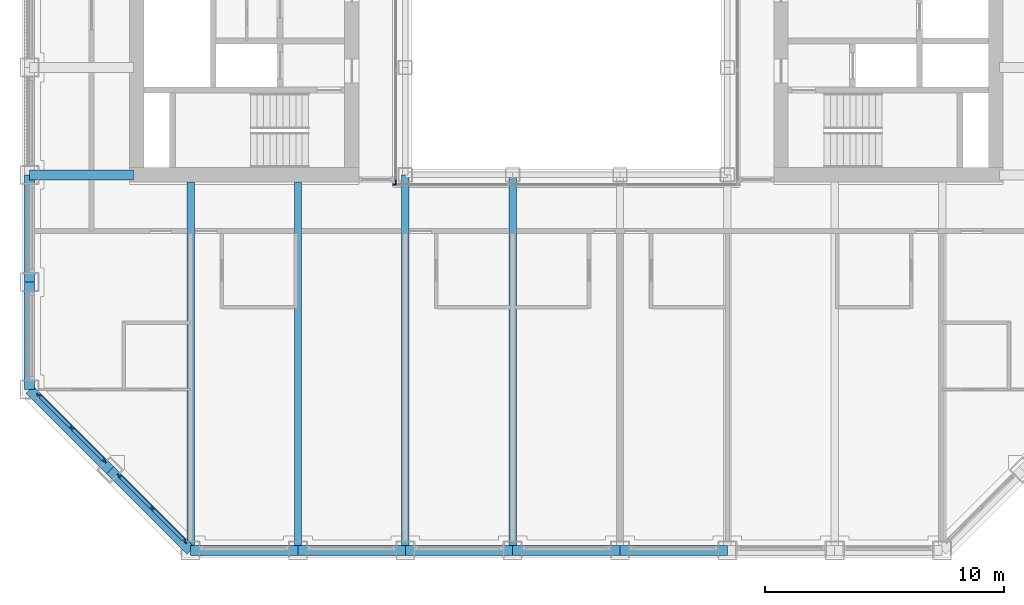
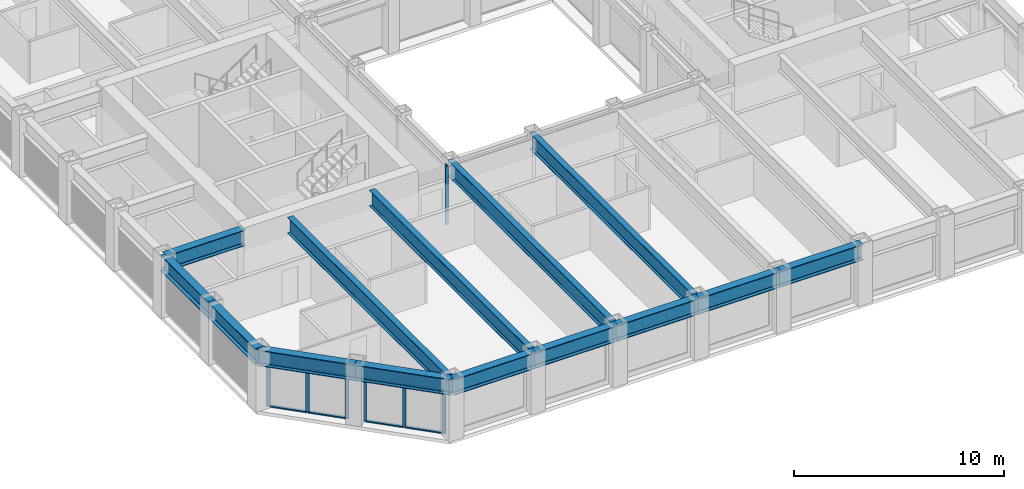
# One storey, part 2 of 17: 16 members, 14 beams, 4 elements without a shape of their own.
"""IFC4 building model written with IfcOpenShell, lengths in metres."""

from ifc_helpers import new_model, si_unit, direction, frame, origin, origin_2d, place, context, subcontext, project, spatial, rectangle, i_section, extrude, material, material_profile, profile_set, type_object, element, aggregate, save


model = new_model("IFC4")

# Units and contexts
model_context = context("Model", 3, precision=1e-05, world=origin(), true_north=direction((0.0, 1.0)))
body_context = subcontext(model_context, "Body", "Model", "MODEL_VIEW")
ifc_project = project(units=[si_unit("LENGTHUNIT", "METRE"), si_unit("AREAUNIT", "SQUARE_METRE"), si_unit("VOLUMEUNIT", "CUBIC_METRE"), si_unit("PLANEANGLEUNIT", "RADIAN"), si_unit("MASSUNIT", "GRAM", prefix="KILO")], contexts=[model_context])

# Site, building, storey
site_placement = place(None, origin())
site = spatial("IfcSite", under=ifc_project, at=site_placement, CompositionType="ELEMENT")
building_placement = place(site_placement, origin())
building = spatial("IfcBuilding", under=site, at=building_placement, Name="Msasa Ring Tower", CompositionType="ELEMENT")
storey_placement = place(building_placement, frame((0.0, 0.0, 154.39990234375)))
storey = spatial("IfcBuildingStorey", under=building, at=storey_placement, Name="L40", CompositionType="ELEMENT", Elevation=154.39990234375)

# Curtain wall, members
ifc_material_1 = material(Name="Aluminium curtain wall with clear glass", Category="aluminium")
curtain_wall_type_1 = type_object("IfcCurtainWallType", Name="CW-C CHAMFER CORNER CURTAIN WALL", PredefinedType="NOTDEFINED", material=ifc_material_1)
curtain_wall_1_placement = place(storey_placement, origin())
curtain_wall_1 = element("IfcCurtainWall", 1, at=curtain_wall_1_placement, inside=storey, type_object=curtain_wall_type_1, Name="Chamfer corner curtain wall SW L40", PredefinedType="NOTDEFINED")
ifc_material_2 = material(Name="Aluminium mullion", Category="aluminium")
ifc_material_profile_1 = material_profile(ifc_material_2, rectangle(XDim=0.06494140625, YDim=0.179931640625, at=origin_2d()), Name="AL 65x180")
ifc_profile_set_1 = profile_set([ifc_material_profile_1], Name="Aluminium mullion")
member_type_1 = type_object("IfcMemberType", Name="CW-C MULLION 65x180", PredefinedType="MULLION", material=ifc_profile_set_1)
member_1_placement = place(storey_placement, frame((-22.119873046875, -15.98876953125, 0.0), z_axis=(0.0, 0.0, 1.0), x_axis=(0.707106781187, 0.707106781187, 0.0)))
member_1 = element("IfcMember", 2, at=member_1_placement, type_object=member_type_1, Name="CW-C mullion 1", PredefinedType="MULLION", context=body_context, shape_type="SweptSolid", body=[
    extrude(rectangle(XDim=0.06494140625, YDim=0.179931640625, at=origin_2d()), origin(), (0.0, 0.0, 1.0), 2.47900390625),
])
member_2_placement = place(storey_placement, frame((-20.74169921875, -17.36669921875, 0.0), z_axis=(0.0, 0.0, 1.0), x_axis=(0.707106781187, 0.707106781187, 0.0)))
member_2 = element("IfcMember", 3, at=member_2_placement, type_object=member_type_1, Name="CW-C mullion 2", PredefinedType="MULLION", context=body_context, shape_type="SweptSolid", body=[
    extrude(rectangle(XDim=0.06494140625, YDim=0.179931640625, at=origin_2d()), origin(), (0.0, 0.0, 1.0), 2.47900390625),
])
member_3_placement = place(storey_placement, frame((-19.36376953125, -18.744873046875, 0.0), z_axis=(0.0, 0.0, 1.0), x_axis=(0.707106781187, 0.707106781187, 0.0)))
member_3 = element("IfcMember", 4, at=member_3_placement, type_object=member_type_1, Name="CW-C mullion 3", PredefinedType="MULLION", context=body_context, shape_type="SweptSolid", body=[
    extrude(rectangle(XDim=0.06494140625, YDim=0.179931640625, at=origin_2d()), origin(), (0.0, 0.0, 1.0), 2.47900390625),
])

curtain_wall_2_placement = place(storey_placement, origin())
curtain_wall_2 = element("IfcCurtainWall", 5, at=curtain_wall_2_placement, inside=storey, type_object=curtain_wall_type_1, Name="Chamfer corner curtain wall SW L40", PredefinedType="NOTDEFINED")
member_4_placement = place(storey_placement, frame((-18.744873046875, -19.36376953125, 0.0), z_axis=(0.0, 0.0, 1.0), x_axis=(0.707106781187, 0.707106781187, 0.0)))
member_4 = element("IfcMember", 6, at=member_4_placement, type_object=member_type_1, Name="CW-C mullion 1", PredefinedType="MULLION", context=body_context, shape_type="SweptSolid", body=[
    extrude(rectangle(XDim=0.06494140625, YDim=0.179931640625, at=origin_2d()), origin(), (0.0, 0.0, 1.0), 2.47900390625),
])
member_5_placement = place(storey_placement, frame((-17.36669921875, -20.74169921875, 0.0), z_axis=(0.0, 0.0, 1.0), x_axis=(0.707106781187, 0.707106781187, 0.0)))
member_5 = element("IfcMember", 7, at=member_5_placement, type_object=member_type_1, Name="CW-C mullion 2", PredefinedType="MULLION", context=body_context, shape_type="SweptSolid", body=[
    extrude(rectangle(XDim=0.06494140625, YDim=0.179931640625, at=origin_2d()), origin(), (0.0, 0.0, 1.0), 2.47900390625),
])
member_6_placement = place(storey_placement, frame((-15.98876953125, -22.119873046875, 0.0), z_axis=(0.0, 0.0, 1.0), x_axis=(0.707106781187, 0.707106781187, 0.0)))
member_6 = element("IfcMember", 8, at=member_6_placement, type_object=member_type_1, Name="CW-C mullion 3", PredefinedType="MULLION", context=body_context, shape_type="SweptSolid", body=[
    extrude(rectangle(XDim=0.06494140625, YDim=0.179931640625, at=origin_2d()), origin(), (0.0, 0.0, 1.0), 2.47900390625),
])

# Member
ifc_material_3 = material(Name="Aluminium transom", Category="aluminium")
ifc_material_profile_2 = material_profile(ifc_material_3, rectangle(XDim=0.139892578125, YDim=0.06494140625, at=origin_2d()), Name="AL 65x140")
ifc_profile_set_2 = profile_set([ifc_material_profile_2], Name="Aluminium transom")
member_type_2 = type_object("IfcMemberType", Name="CW-C TRANSOM 65x140", PredefinedType="USERDEFINED", material=ifc_profile_set_2)
member_7_placement = place(storey_placement, frame((-22.096923828125, -16.01171875, 0.03271484375), z_axis=(0.707106781187, -0.707106781187, 0.0), x_axis=(0.707106781187, 0.707106781187, 0.0)))
member_7 = element("IfcMember", 9, at=member_7_placement, type_object=member_type_2, Name="CW-C transom 1.1", ObjectType="TRANSOM", PredefinedType="USERDEFINED", context=body_context, shape_type="SweptSolid", body=[
    extrude(rectangle(XDim=0.139892578125, YDim=0.06494140625, at=origin_2d()), origin(), (0.0, 0.0, 1.0), 1.8837890625),
])

member_8_placement = place(storey_placement, frame((-22.096923828125, -16.01171875, 2.446533203125), z_axis=(0.707106781187, -0.707106781187, 0.0), x_axis=(0.707106781187, 0.707106781187, 0.0)))
member_8 = element("IfcMember", 10, at=member_8_placement, type_object=member_type_2, Name="CW-C transom 1.2", ObjectType="TRANSOM", PredefinedType="USERDEFINED", context=body_context, shape_type="SweptSolid", body=[
    extrude(rectangle(XDim=0.139892578125, YDim=0.06494140625, at=origin_2d()), origin(), (0.0, 0.0, 1.0), 1.8837890625),
])

member_9_placement = place(storey_placement, frame((-20.71875, -17.389892578125, 0.03271484375), z_axis=(0.707106781187, -0.707106781187, 0.0), x_axis=(0.707106781187, 0.707106781187, 0.0)))
member_9 = element("IfcMember", 11, at=member_9_placement, type_object=member_type_2, Name="CW-C transom 2.1", ObjectType="TRANSOM", PredefinedType="USERDEFINED", context=body_context, shape_type="SweptSolid", body=[
    extrude(rectangle(XDim=0.139892578125, YDim=0.06494140625, at=origin_2d()), origin(), (0.0, 0.0, 1.0), 1.8837890625),
])

member_10_placement = place(storey_placement, frame((-20.71875, -17.389892578125, 2.446533203125), z_axis=(0.707106781187, -0.707106781187, 0.0), x_axis=(0.707106781187, 0.707106781187, 0.0)))
member_10 = element("IfcMember", 12, at=member_10_placement, type_object=member_type_2, Name="CW-C transom 2.2", ObjectType="TRANSOM", PredefinedType="USERDEFINED", context=body_context, shape_type="SweptSolid", body=[
    extrude(rectangle(XDim=0.139892578125, YDim=0.06494140625, at=origin_2d()), origin(), (0.0, 0.0, 1.0), 1.8837890625),
])

aggregate(curtain_wall_1, [member_1, member_2, member_3, member_7, member_8, member_9, member_10])

member_11_placement = place(storey_placement, frame((-18.721923828125, -19.38671875, 0.03271484375), z_axis=(0.707106781187, -0.707106781187, 0.0), x_axis=(0.707106781187, 0.707106781187, 0.0)))
member_11 = element("IfcMember", 13, at=member_11_placement, type_object=member_type_2, Name="CW-C transom 1.1", ObjectType="TRANSOM", PredefinedType="USERDEFINED", context=body_context, shape_type="SweptSolid", body=[
    extrude(rectangle(XDim=0.139892578125, YDim=0.06494140625, at=origin_2d()), origin(), (0.0, 0.0, 1.0), 1.8837890625),
])

member_12_placement = place(storey_placement, frame((-18.721923828125, -19.38671875, 2.446533203125), z_axis=(0.707106781187, -0.707106781187, 0.0), x_axis=(0.707106781187, 0.707106781187, 0.0)))
member_12 = element("IfcMember", 14, at=member_12_placement, type_object=member_type_2, Name="CW-C transom 1.2", ObjectType="TRANSOM", PredefinedType="USERDEFINED", context=body_context, shape_type="SweptSolid", body=[
    extrude(rectangle(XDim=0.139892578125, YDim=0.06494140625, at=origin_2d()), origin(), (0.0, 0.0, 1.0), 1.8837890625),
])

member_13_placement = place(storey_placement, frame((-17.34375, -20.764892578125, 0.03271484375), z_axis=(0.707106781187, -0.707106781187, 0.0), x_axis=(0.707106781187, 0.707106781187, 0.0)))
member_13 = element("IfcMember", 15, at=member_13_placement, type_object=member_type_2, Name="CW-C transom 2.1", ObjectType="TRANSOM", PredefinedType="USERDEFINED", context=body_context, shape_type="SweptSolid", body=[
    extrude(rectangle(XDim=0.139892578125, YDim=0.06494140625, at=origin_2d()), origin(), (0.0, 0.0, 1.0), 1.8837890625),
])

member_14_placement = place(storey_placement, frame((-17.34375, -20.764892578125, 2.446533203125), z_axis=(0.707106781187, -0.707106781187, 0.0), x_axis=(0.707106781187, 0.707106781187, 0.0)))
member_14 = element("IfcMember", 16, at=member_14_placement, type_object=member_type_2, Name="CW-C transom 2.2", ObjectType="TRANSOM", PredefinedType="USERDEFINED", context=body_context, shape_type="SweptSolid", body=[
    extrude(rectangle(XDim=0.139892578125, YDim=0.06494140625, at=origin_2d()), origin(), (0.0, 0.0, 1.0), 1.8837890625),
])

aggregate(curtain_wall_2, [member_4, member_5, member_6, member_11, member_12, member_13, member_14])

# Curtain wall, member
ifc_material_4 = material(Name="Aluminium curtain wall with clear glass", Category="aluminium")
curtain_wall_type_2 = type_object("IfcCurtainWallType", Name="CW-W LIGHT WELL CURTAIN WALL", PredefinedType="NOTDEFINED", material=ifc_material_4)
curtain_wall_3_placement = place(storey_placement, origin())
curtain_wall_3 = element("IfcCurtainWall", 17, at=curtain_wall_3_placement, inside=storey, type_object=curtain_wall_type_2, Name="Light well curtain wall S L40", PredefinedType="NOTDEFINED")
ifc_material_5 = material(Name="Aluminium mullion", Category="aluminium")
ifc_material_profile_3 = material_profile(ifc_material_5, rectangle(XDim=0.06005859375, YDim=0.159912109375, at=origin_2d()), Name="AL 60x160")
ifc_profile_set_3 = profile_set([ifc_material_profile_3], Name="Aluminium mullion")
member_type_3 = type_object("IfcMemberType", Name="CW-W MULLION 60x160", PredefinedType="MULLION", material=ifc_profile_set_3)
member_15_placement = place(storey_placement, frame((-7.199951171875, -7.14990234375, 0.0), z_axis=(0.0, 0.0, 1.0), x_axis=(0.0, 1.0, 0.0)))
member_15 = element("IfcMember", 18, at=member_15_placement, type_object=member_type_3, Name="CW-W mullion 1", PredefinedType="MULLION", context=body_context, shape_type="SweptSolid", body=[
    extrude(rectangle(XDim=0.06005859375, YDim=0.159912109375, at=origin_2d()), origin(), (0.0, 0.0, 1.0), 3.400146484375),
])
aggregate(curtain_wall_3, [member_15])

curtain_wall_4_placement = place(storey_placement, origin())
curtain_wall_4 = element("IfcCurtainWall", 19, at=curtain_wall_4_placement, inside=storey, type_object=curtain_wall_type_2, Name="Light well curtain wall W L40", PredefinedType="NOTDEFINED")
member_16_placement = place(storey_placement, frame((-7.14990234375, -7.0400390625, 0.0), z_axis=(0.0, 0.0, 1.0), x_axis=(-1.0, 0.0, 0.0)))
member_16 = element("IfcMember", 20, at=member_16_placement, type_object=member_type_3, Name="CW-W mullion 1", PredefinedType="MULLION", context=body_context, shape_type="SweptSolid", body=[
    extrude(rectangle(XDim=0.06005859375, YDim=0.159912109375, at=origin_2d()), origin(), (0.0, 0.0, 1.0), 3.400146484375),
])
aggregate(curtain_wall_4, [member_16])

# Beams
ifc_material_6 = material(Name="Steel S355", Category="steel")
ifc_material_profile_4 = material_profile(ifc_material_6, i_section(OverallWidth=0.3076171875, OverallDepth=0.926513671875, WebThickness=0.01953125, FlangeThickness=0.031982421875, FilletRadius=0.01904296875, at=origin_2d()), Name="UB 914x305x289")
ifc_profile_set_4 = profile_set([ifc_material_profile_4], Name="Steel S355")
beam_type_1 = type_object("IfcBeamType", Name="FB3 UB 914x305x289", PredefinedType="BEAM", material=ifc_profile_set_4)
for number, where, z_axis, x_axis, name in (
    (21, (-15.75, -22.5, 2.936767578125), (0.0, 1.0, 0.0), (-1.0, 0.0, 0.0), "Floor beam S-15.75 under L41"),
    (22, (-11.25, -22.5, 2.936767578125), (0.0, 1.0, 0.0), (-1.0, 0.0, 0.0), "Floor beam S-11.25 under L41"),
):
    element("IfcBeam", number, at=place(storey_placement, frame(where, z_axis=z_axis, x_axis=x_axis)), inside=storey, type_object=beam_type_1, Name=name, PredefinedType="BEAM", context=body_context, shape_type="SweptSolid", body=[
        extrude(i_section(OverallWidth=0.3076171875, OverallDepth=0.926513671875, WebThickness=0.01953125, FlangeThickness=0.031982421875, FilletRadius=0.01904296875, at=origin_2d()), origin(), (0.0, 0.0, 1.0), 15.449951171875),
    ])
for number, where, z_axis, x_axis, name in (
    (23, (-6.75, -22.5, 2.936767578125), (0.0, 1.0, 0.0), (-1.0, 0.0, 0.0), "Floor beam S-6.75 under L41"),
    (24, (-2.25, -22.5, 2.936767578125), (0.0, 1.0, 0.0), (-1.0, 0.0, 0.0), "Floor beam S-2.25 under L41"),
):
    element("IfcBeam", number, at=place(storey_placement, frame(where, z_axis=z_axis, x_axis=x_axis)), inside=storey, type_object=beam_type_1, Name=name, PredefinedType="BEAM", context=body_context, shape_type="SweptSolid", body=[
        extrude(i_section(OverallWidth=0.3076171875, OverallDepth=0.926513671875, WebThickness=0.01953125, FlangeThickness=0.031982421875, FilletRadius=0.01904296875, at=origin_2d()), origin(), (0.0, 0.0, 1.0), 15.75),
    ])
ifc_material_7 = material(Name="Steel S355", Category="steel")
ifc_material_profile_5 = material_profile(ifc_material_7, i_section(OverallWidth=0.42041015625, OverallDepth=0.9208984375, WebThickness=0.021484375, FlangeThickness=0.03662109375, FilletRadius=0.024169921875, at=origin_2d()), Name="UB 914x419x388")
ifc_profile_set_5 = profile_set([ifc_material_profile_5], Name="Steel S355")
beam_type_2 = type_object("IfcBeamType", Name="GB1 UB 914x419x388", PredefinedType="BEAM", material=ifc_profile_set_5)
beam_placement = place(storey_placement, frame((-18.14990234375, -6.75, 2.939697265625), z_axis=(-1.0, 0.0, 0.0), x_axis=(0.0, -1.0, 0.0)))
element("IfcBeam", 25, at=beam_placement, inside=storey, type_object=beam_type_2, Name="Girder W -6.75 under L41", PredefinedType="BEAM", context=body_context, shape_type="SweptSolid", body=[
    extrude(i_section(OverallWidth=0.42041015625, OverallDepth=0.9208984375, WebThickness=0.021484375, FlangeThickness=0.03662109375, FilletRadius=0.024169921875, at=origin_2d()), origin(), (0.0, 0.0, 1.0), 4.35009765625),
])
ifc_material_8 = material(Name="Steel S355", Category="steel")
ifc_material_profile_6 = material_profile(ifc_material_8, i_section(OverallWidth=0.42041015625, OverallDepth=0.9208984375, WebThickness=0.021484375, FlangeThickness=0.03662109375, FilletRadius=0.024169921875, at=origin_2d()), Name="UB 914x419x388")
ifc_profile_set_6 = profile_set([ifc_material_profile_6], Name="Steel S355")
beam_type_3 = type_object("IfcBeamType", Name="SB1 UB 914x419x388", PredefinedType="SPANDREL", material=ifc_profile_set_6)
for number, where, z_axis, x_axis, name in (
    (26, (-22.5, -6.75, 2.939697265625), (0.0, -1.0, 0.0), (1.0, 0.0, 0.0), "Spandrel W-6.75 to W-11.25 under L41"),
    (27, (-22.5, -11.25, 2.939697265625), (0.0, -1.0, 0.0), (1.0, 0.0, 0.0), "Spandrel W-11.25 to W-15.75 under L41"),
):
    element("IfcBeam", number, at=place(storey_placement, frame(where, z_axis=z_axis, x_axis=x_axis)), inside=storey, type_object=beam_type_3, Name=name, PredefinedType="SPANDREL", context=body_context, shape_type="SweptSolid", body=[
        extrude(i_section(OverallWidth=0.42041015625, OverallDepth=0.9208984375, WebThickness=0.021484375, FlangeThickness=0.03662109375, FilletRadius=0.024169921875, at=origin_2d()), origin(), (0.0, 0.0, 1.0), 4.5),
    ])
for number, where, z_axis, x_axis, name in (
    (28, (-22.5, -15.75, 2.939697265625), (0.707106781187, -0.707106781187, 0.0), (0.707106781187, 0.707106781187, 0.0), "Spandrel W-15.75 to SW under L41"),
    (29, (-19.125, -19.125, 2.939697265625), (0.707106781187, -0.707106781187, 0.0), (0.707106781187, 0.707106781187, 0.0), "Spandrel SW to S-15.75 under L41"),
):
    element("IfcBeam", number, at=place(storey_placement, frame(where, z_axis=z_axis, x_axis=x_axis)), inside=storey, type_object=beam_type_3, Name=name, PredefinedType="SPANDREL", context=body_context, shape_type="SweptSolid", body=[
        extrude(i_section(OverallWidth=0.42041015625, OverallDepth=0.9208984375, WebThickness=0.021484375, FlangeThickness=0.03662109375, FilletRadius=0.024169921875, at=origin_2d()), origin(), (0.0, 0.0, 1.0), 4.77294921875),
    ])
for number, where, z_axis, x_axis, name in (
    (30, (-15.75, -22.5, 2.939697265625), (1.0, 0.0, 0.0), (0.0, 1.0, 0.0), "Spandrel S-15.75 to S-11.25 under L41"),
    (31, (-11.25, -22.5, 2.939697265625), (1.0, 0.0, 0.0), (0.0, 1.0, 0.0), "Spandrel S-11.25 to S-6.75 under L41"),
    (32, (-6.75, -22.5, 2.939697265625), (1.0, 0.0, 0.0), (0.0, 1.0, 0.0), "Spandrel S-6.75 to S-2.25 under L41"),
    (33, (-2.25, -22.5, 2.939697265625), (1.0, 0.0, 0.0), (0.0, 1.0, 0.0), "Spandrel S-2.25 to S+2.25 under L41"),
    (34, (2.25, -22.5, 2.939697265625), (1.0, 0.0, 0.0), (0.0, 1.0, 0.0), "Spandrel S+2.25 to S+6.75 under L41"),
):
    element("IfcBeam", number, at=place(storey_placement, frame(where, z_axis=z_axis, x_axis=x_axis)), inside=storey, type_object=beam_type_3, Name=name, PredefinedType="SPANDREL", context=body_context, shape_type="SweptSolid", body=[
        extrude(i_section(OverallWidth=0.42041015625, OverallDepth=0.9208984375, WebThickness=0.021484375, FlangeThickness=0.03662109375, FilletRadius=0.024169921875, at=origin_2d()), origin(), (0.0, 0.0, 1.0), 4.5),
    ])

save(model, "model.ifc")
